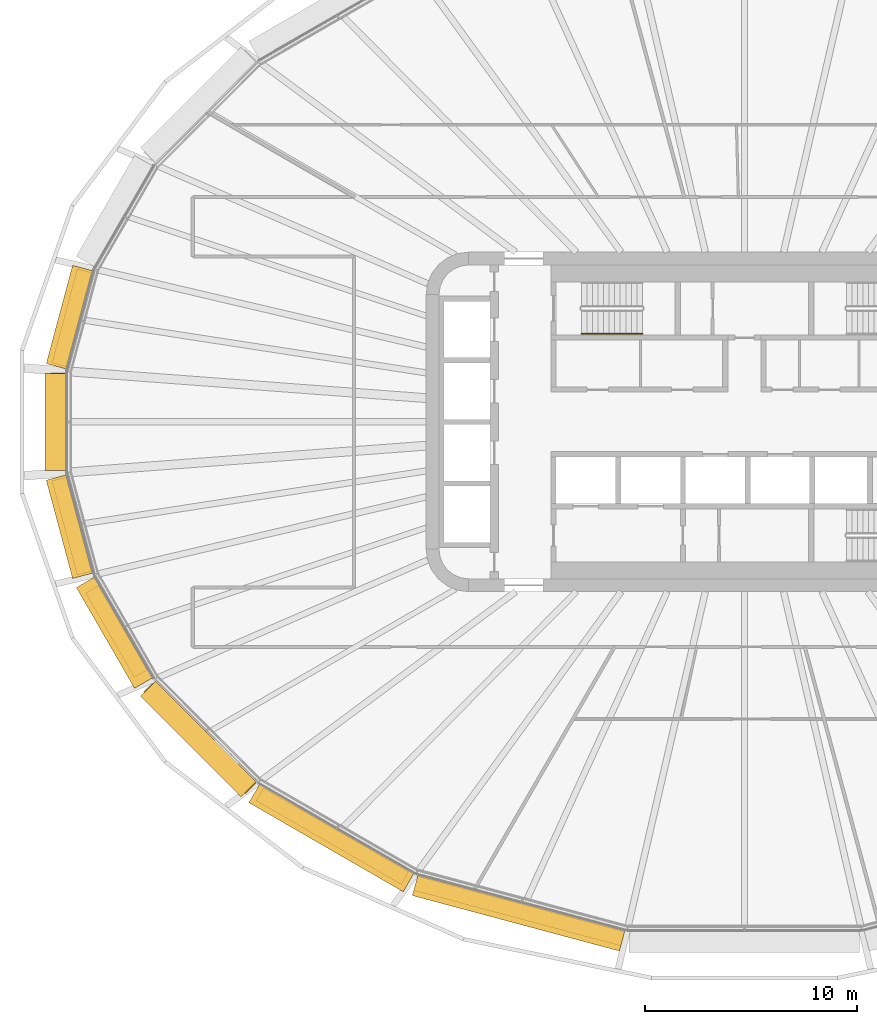
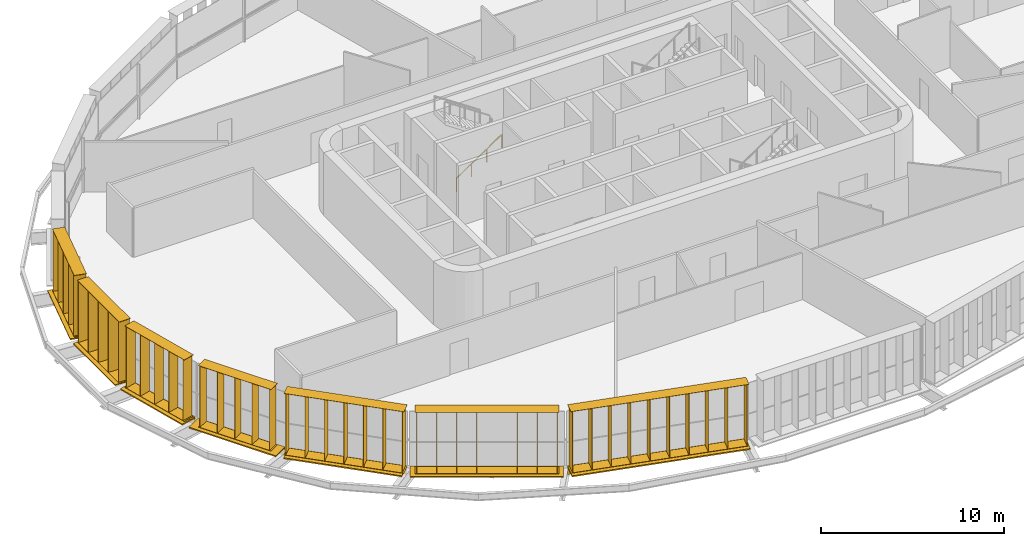
# One storey, part 20 of 25: 14 shading devices, 1 railing.
"""IFC4 building model written with IfcOpenShell, lengths in metres."""

import ifcopenshell
import ifcopenshell.guid

model = None  # the IFC model being written
_history = None  # IfcOwnerHistory: only IFC2X3 demands one
_inside = {}  # id of a spatial element -> (the spatial element, [elements in it])
_under = {}  # id of a project, library or spatial element -> (it, [spatial elements below it])
_declared = {}  # id of a project -> (the project, [libraries it declares])
_typed = {}  # id of a type object -> (the type object, [elements of that type])
_made_of = {}  # id of a material, layer set ... -> (it, [elements and type objects made of it])


def new_model(schema):
    """Start an empty IFC model of exactly this schema.

    Asked for "IFC4X3", IfcOpenShell would pick the latest addendum, in which some entities
    have other attributes; the version numbers below select the first issue.
    IFC2X3 requires an IfcOwnerHistory on every rooted entity: one is made here for all.
    """
    global model, _history
    if schema == "IFC4X3":
        model = ifcopenshell.file(schema_version=(4, 3, 0, 0))
    else:
        model = ifcopenshell.file(schema=schema)
    _inside.clear()
    _under.clear()
    _declared.clear()
    _typed.clear()
    _made_of.clear()
    _history = None
    if model.schema == "IFC2X3":
        org = make("IfcOrganization", Name="unknown")
        user = make(
            "IfcPersonAndOrganization",
            ThePerson=make("IfcPerson", FamilyName="unknown"),
            TheOrganization=org,
        )
        app = make(
            "IfcApplication",
            ApplicationDeveloper=org,
            Version="unknown",
            ApplicationFullName="unknown",
            ApplicationIdentifier="unknown",
        )
        _history = make(
            "IfcOwnerHistory",
            OwningUser=user,
            OwningApplication=app,
            ChangeAction="ADDED",
            CreationDate=0,
        )
    return model


def make(cls, **values):
    """One entity of the class cls with the attributes given. An attribute that is None is left unset."""
    return model.create_entity(
        cls, **{name: value for name, value in values.items() if value is not None}
    )


def rooted(cls, **values):
    """An entity with a GlobalId (a new one), such as an element, a storey or a relation."""
    return make(cls, GlobalId=ifcopenshell.guid.new(), OwnerHistory=_history, **values)


def si_unit(unit_type, name, prefix=None):
    """IfcSIUnit, for example si_unit("LENGTHUNIT", "METRE", prefix="MILLI")."""
    return make("IfcSIUnit", UnitType=unit_type, Prefix=prefix, Name=name)


def assignment(units):
    """IfcUnitAssignment: the units of a project."""
    return None if units is None else make("IfcUnitAssignment", Units=units)


def point(xyz):
    """IfcCartesianPoint."""
    return None if xyz is None else make("IfcCartesianPoint", Coordinates=xyz)


def direction(xyz):
    """IfcDirection."""
    return None if xyz is None else make("IfcDirection", DirectionRatios=xyz)


def frame(location, z_axis=None, x_axis=None):
    """IfcAxis2Placement3D, a coordinate frame: its origin and axes. An axis left out is left unset."""
    return make(
        "IfcAxis2Placement3D",
        Location=point(location),
        Axis=direction(z_axis),
        RefDirection=direction(x_axis),
    )


def frame_2d(location, x_axis=None):
    """IfcAxis2Placement2D, a coordinate frame in the plane: its origin and x axis."""
    return make(
        "IfcAxis2Placement2D", Location=point(location), RefDirection=direction(x_axis)
    )


def origin():
    """The frame at (0, 0, 0) with its axes left unset."""
    return frame((0.0, 0.0, 0.0))


def origin_2d():
    """The frame at (0, 0) in the plane with its x axis left unset."""
    return frame_2d((0.0, 0.0))


def place(relative_to, where):
    """IfcLocalPlacement: puts the frame where relative to a parent placement (None: the world)."""
    return make(
        "IfcLocalPlacement", PlacementRelTo=relative_to, RelativePlacement=where
    )


def context(
    kind, dimensions, precision=None, world=None, true_north=None, identifier=None
):
    """IfcGeometricRepresentationContext, for example the 3D "Model" context."""
    return make(
        "IfcGeometricRepresentationContext",
        ContextIdentifier=identifier,
        ContextType=kind,
        CoordinateSpaceDimension=dimensions,
        Precision=precision,
        WorldCoordinateSystem=world,
        TrueNorth=true_north,
    )


def subcontext(parent, identifier, kind, view, scale=None):
    """IfcGeometricRepresentationSubContext, for example "Body" below "Model"."""
    return make(
        "IfcGeometricRepresentationSubContext",
        ContextIdentifier=identifier,
        ContextType=kind,
        ParentContext=parent,
        TargetScale=scale,
        TargetView=view,
    )


def project(units=None, contexts=None):
    """IfcProject with its units and contexts."""
    return rooted(
        "IfcProject",
        Name="project",
        RepresentationContexts=contexts,
        UnitsInContext=assignment(units),
    )


def spatial(cls, under=None, at=None, **own):
    """A site, building, storey or space (cls), placed at a placement, below another one or the project."""
    s = rooted(cls, ObjectPlacement=at, **own)
    if under is not None:
        _under.setdefault(under.id(), (under, []))[1].append(s)
    return s


def profile(cls, at=None, kind="AREA", **sizes):
    """A parametric profile (cls). Its sizes go by their IFC names, for example OverallWidth=200.0."""
    return make(cls, ProfileType=kind, Position=at, **sizes)


def rectangle(**sizes):
    """IfcRectangleProfileDef."""
    return profile("IfcRectangleProfileDef", **sizes)


def circle(**sizes):
    """IfcCircleProfileDef."""
    return profile("IfcCircleProfileDef", **sizes)


def extrude(swept, where, along, depth):
    """IfcExtrudedAreaSolid: the profile swept, set in the frame where, extruded along a direction by depth."""
    return make(
        "IfcExtrudedAreaSolid",
        SweptArea=swept,
        Position=where,
        ExtrudedDirection=direction(along),
        Depth=depth,
    )


def shape(context_of_items, identifier, shape_type, items):
    """IfcShapeRepresentation: the items that make up one representation, for example the "Body"."""
    return make(
        "IfcShapeRepresentation",
        ContextOfItems=context_of_items,
        RepresentationIdentifier=identifier,
        RepresentationType=shape_type,
        Items=items,
    )


def material(Name=None, Category=None):
    """IfcMaterial."""
    return make("IfcMaterial", Name=Name, Category=Category)


def made_of(thing, what):
    """Note that an element or type object is made of a material, layer set ...; save() writes the relation."""
    if what is not None:
        _made_of.setdefault(what.id(), (what, []))[1].append(thing)
    return thing


def type_object(cls, material=None, **own):
    """A type object (cls), such as IfcWallType, which elements share."""
    return made_of(rooted(cls, **own), material)


def element(
    cls,
    number,
    at=None,
    inside=None,
    cuts=None,
    type_object=None,
    material=None,
    context=None,
    identifier="Body",
    shape_type=None,
    held_by="IfcProductDefinitionShape",
    body=None,
    shapes=None,
    **own,
):
    """One element of the class cls, such as IfcWall. Its Tag is "e" and its number.

    at: its placement. inside: the storey or other place that contains it. cuts: it is an
    opening in that element (IfcRelVoidsElement). A single representation is given by context,
    identifier, shape_type and body (its items); several are given by shapes. held_by: the class
    of the entity that holds the representations. save() writes the other relations.
    """
    e = rooted(cls, Tag="e%d" % number, ObjectPlacement=at, **own)
    if body is not None:
        shapes = [shape(context, identifier, shape_type, body)]
    if shapes is not None:
        e.Representation = make(held_by, Representations=shapes)
    if inside is not None:
        _inside.setdefault(inside.id(), (inside, []))[1].append(e)
    if cuts is not None:
        rooted(
            "IfcRelVoidsElement", RelatingBuildingElement=cuts, RelatedOpeningElement=e
        )
    if type_object is not None:
        _typed.setdefault(type_object.id(), (type_object, []))[1].append(e)
    return made_of(e, material)


def aggregate(whole, parts):
    """IfcRelAggregates: a whole, such as a stair, and the parts it consists of."""
    return rooted("IfcRelAggregates", RelatingObject=whole, RelatedObjects=parts)


def save(model, path):
    """Write the relations noted so far, then the file.

    IfcRelAggregates (storeys below a building ...), IfcRelContainedInSpatialStructure (elements
    in a storey), IfcRelDefinesByType, IfcRelAssociatesMaterial and IfcRelDeclares: one each for
    every whole, place, type object, material and project.
    """
    for whole, parts in _under.values():
        aggregate(whole, parts)
    for where, things in _inside.values():
        rooted(
            "IfcRelContainedInSpatialStructure",
            RelatedElements=things,
            RelatingStructure=where,
        )
    for kind, things in _typed.values():
        rooted("IfcRelDefinesByType", RelatedObjects=things, RelatingType=kind)
    for what, things in _made_of.values():
        rooted("IfcRelAssociatesMaterial", RelatedObjects=things, RelatingMaterial=what)
    for by, libraries in _declared.values():
        rooted("IfcRelDeclares", RelatingContext=by, RelatedDefinitions=libraries)
    model.write(path)


model = new_model("IFC4")

# Units and contexts
model_context = context("Model", 3, precision=1e-05, world=origin(), true_north=direction((0.0, 1.0)))
body_context = subcontext(model_context, "Body", "Model", "MODEL_VIEW")
ifc_project = project(units=[si_unit("LENGTHUNIT", "METRE"), si_unit("AREAUNIT", "SQUARE_METRE"), si_unit("VOLUMEUNIT", "CUBIC_METRE"), si_unit("PLANEANGLEUNIT", "RADIAN"), si_unit("MASSUNIT", "GRAM", prefix="KILO")], contexts=[model_context])

# Site, building, storey
site_placement = place(None, origin())
site = spatial("IfcSite", under=ifc_project, at=site_placement, CompositionType="ELEMENT")
building_placement = place(site_placement, origin())
building = spatial("IfcBuilding", under=site, at=building_placement, Name="Sahrelin Media Tower", CompositionType="ELEMENT")
storey_placement = place(building_placement, frame((0.0, 0.0, 106.199951171875)))
storey = spatial("IfcBuildingStorey", under=building, at=storey_placement, Name="L20", CompositionType="ELEMENT", Elevation=106.199951171875)

# Shading devices
ifc_material_1 = material(Name="Champagne anodised aluminium 6063-T6", Category="aluminium")
shading_device_type_1 = type_object("IfcShadingDeviceType", Name="Fin cassette", PredefinedType="USERDEFINED", material=ifc_material_1)
placement_1 = place(storey_placement, frame((-31.298095703125, 4.798583984375, 0.0), z_axis=(0.0, 0.0, 1.0), x_axis=(0.258807731996, 0.965928857556, 0.0)))
element("IfcShadingDevice", 1, at=placement_1, inside=storey, type_object=shading_device_type_1, Name="L20:FIN:L20-11", ObjectType="FIN", PredefinedType="USERDEFINED", context=body_context, shape_type="SweptSolid", body=[
    extrude(rectangle(XDim=4.60009765625, YDim=0.699951171875, at=origin_2d()), frame((0.0, 0.419921875, 0.0)), (0.0, 0.0, 1.0), 0.02001953125),
    extrude(rectangle(XDim=4.60009765625, YDim=0.699951171875, at=origin_2d()), frame((0.0, 0.419921875, 4.10009765625)), (0.0, 0.0, 1.0), 0.02001953125),
    extrude(rectangle(XDim=0.02001953125, YDim=0.699951171875, at=origin_2d()), frame((-2.199951171875, 0.419921875, 0.010009765625), z_axis=(0.0, 0.0, 1.0), x_axis=(1.0, 0.0, 0.0)), (0.0, 0.0, 1.0), 4.10009765625),
    extrude(rectangle(XDim=0.02001953125, YDim=0.699951171875, at=origin_2d()), frame((-1.10009765625, 0.419921875, 0.010009765625), z_axis=(0.0, 0.0, 1.0), x_axis=(1.0, 0.0, 0.0)), (0.0, 0.0, 1.0), 4.10009765625),
    extrude(rectangle(XDim=0.02001953125, YDim=0.699951171875, at=origin_2d()), frame((0.0, 0.419921875, 0.010009765625), z_axis=(0.0, 0.0, 1.0), x_axis=(1.0, 0.0, 0.0)), (0.0, 0.0, 1.0), 4.10009765625),
    extrude(rectangle(XDim=0.02001953125, YDim=0.699951171875, at=origin_2d()), frame((1.10009765625, 0.419921875, 0.010009765625), z_axis=(0.0, 0.0, 1.0), x_axis=(1.0, 0.0, 0.0)), (0.0, 0.0, 1.0), 4.10009765625),
    extrude(rectangle(XDim=0.02001953125, YDim=0.699951171875, at=origin_2d()), frame((2.199951171875, 0.419921875, 0.010009765625), z_axis=(0.0, 0.0, 1.0), x_axis=(1.0, 0.0, 0.0)), (0.0, 0.0, 1.0), 4.10009765625),
])
placement_2 = place(storey_placement, frame((-31.9443359375, 0.0, 0.0), z_axis=(0.0, 0.0, 1.0), x_axis=(0.0, 1.0, 0.0)))
element("IfcShadingDevice", 2, at=placement_2, inside=storey, type_object=shading_device_type_1, Name="L20:FIN:L20-12", ObjectType="FIN", PredefinedType="USERDEFINED", context=body_context, shape_type="SweptSolid", body=[
    extrude(rectangle(XDim=4.60009765625, YDim=0.699951171875, at=origin_2d()), frame((0.0, 0.419921875, 0.0)), (0.0, 0.0, 1.0), 0.02001953125),
    extrude(rectangle(XDim=4.60009765625, YDim=0.699951171875, at=origin_2d()), frame((0.0, 0.419921875, 4.10009765625)), (0.0, 0.0, 1.0), 0.02001953125),
    extrude(rectangle(XDim=0.02001953125, YDim=0.699951171875, at=origin_2d()), frame((-2.199951171875, 0.419921875, 0.010009765625), z_axis=(0.0, 0.0, 1.0), x_axis=(1.0, 0.0, 0.0)), (0.0, 0.0, 1.0), 4.10009765625),
    extrude(rectangle(XDim=0.02001953125, YDim=0.699951171875, at=origin_2d()), frame((-1.10009765625, 0.419921875, 0.010009765625), z_axis=(0.0, 0.0, 1.0), x_axis=(1.0, 0.0, 0.0)), (0.0, 0.0, 1.0), 4.10009765625),
    extrude(rectangle(XDim=0.02001953125, YDim=0.699951171875, at=origin_2d()), frame((0.0, 0.419921875, 0.010009765625), z_axis=(0.0, 0.0, 1.0), x_axis=(1.0, 0.0, 0.0)), (0.0, 0.0, 1.0), 4.10009765625),
    extrude(rectangle(XDim=0.02001953125, YDim=0.699951171875, at=origin_2d()), frame((1.10009765625, 0.419921875, 0.010009765625), z_axis=(0.0, 0.0, 1.0), x_axis=(1.0, 0.0, 0.0)), (0.0, 0.0, 1.0), 4.10009765625),
    extrude(rectangle(XDim=0.02001953125, YDim=0.699951171875, at=origin_2d()), frame((2.199951171875, 0.419921875, 0.010009765625), z_axis=(0.0, 0.0, 1.0), x_axis=(1.0, 0.0, 0.0)), (0.0, 0.0, 1.0), 4.10009765625),
])
placement_3 = place(storey_placement, frame((-31.298095703125, -4.798828125, 0.0), z_axis=(0.0, 0.0, 1.0), x_axis=(-0.258807731996, 0.965928857556, 0.0)))
element("IfcShadingDevice", 3, at=placement_3, inside=storey, type_object=shading_device_type_1, Name="L20:FIN:L20-13", ObjectType="FIN", PredefinedType="USERDEFINED", context=body_context, shape_type="SweptSolid", body=[
    extrude(rectangle(XDim=4.60009765625, YDim=0.699951171875, at=origin_2d()), frame((0.0, 0.419921875, 0.0)), (0.0, 0.0, 1.0), 0.02001953125),
    extrude(rectangle(XDim=4.60009765625, YDim=0.699951171875, at=origin_2d()), frame((0.0, 0.419921875, 4.10009765625)), (0.0, 0.0, 1.0), 0.02001953125),
    extrude(rectangle(XDim=0.02001953125, YDim=0.699951171875, at=origin_2d()), frame((-2.199951171875, 0.419921875, 0.010009765625), z_axis=(0.0, 0.0, 1.0), x_axis=(1.0, 0.0, 0.0)), (0.0, 0.0, 1.0), 4.10009765625),
    extrude(rectangle(XDim=0.02001953125, YDim=0.699951171875, at=origin_2d()), frame((-1.10009765625, 0.419921875, 0.010009765625), z_axis=(0.0, 0.0, 1.0), x_axis=(1.0, 0.0, 0.0)), (0.0, 0.0, 1.0), 4.10009765625),
    extrude(rectangle(XDim=0.02001953125, YDim=0.699951171875, at=origin_2d()), frame((0.0, 0.419921875, 0.010009765625), z_axis=(0.0, 0.0, 1.0), x_axis=(1.0, 0.0, 0.0)), (0.0, 0.0, 1.0), 4.10009765625),
    extrude(rectangle(XDim=0.02001953125, YDim=0.699951171875, at=origin_2d()), frame((1.10009765625, 0.419921875, 0.010009765625), z_axis=(0.0, 0.0, 1.0), x_axis=(1.0, 0.0, 0.0)), (0.0, 0.0, 1.0), 4.10009765625),
    extrude(rectangle(XDim=0.02001953125, YDim=0.699951171875, at=origin_2d()), frame((2.199951171875, 0.419921875, 0.010009765625), z_axis=(0.0, 0.0, 1.0), x_axis=(1.0, 0.0, 0.0)), (0.0, 0.0, 1.0), 4.10009765625),
])
placement_4 = place(storey_placement, frame((-29.231689453125, -9.67041015625, 0.0), z_axis=(0.0, 0.0, 1.0), x_axis=(-0.500011000363, 0.866019052629, 0.0)))
element("IfcShadingDevice", 4, at=placement_4, inside=storey, type_object=shading_device_type_1, Name="L20:FIN:L20-14", ObjectType="FIN", PredefinedType="USERDEFINED", context=body_context, shape_type="SweptSolid", body=[
    extrude(rectangle(XDim=4.60009765625, YDim=0.699951171875, at=origin_2d()), frame((0.0, 0.419921875, 0.0)), (0.0, 0.0, 1.0), 0.02001953125),
    extrude(rectangle(XDim=4.60009765625, YDim=0.699951171875, at=origin_2d()), frame((0.0, 0.419921875, 4.10009765625)), (0.0, 0.0, 1.0), 0.02001953125),
    extrude(rectangle(XDim=0.02001953125, YDim=0.699951171875, at=origin_2d()), frame((-2.199951171875, 0.419921875, 0.010009765625), z_axis=(0.0, 0.0, 1.0), x_axis=(1.0, 0.0, 0.0)), (0.0, 0.0, 1.0), 4.10009765625),
    extrude(rectangle(XDim=0.02001953125, YDim=0.699951171875, at=origin_2d()), frame((-1.10009765625, 0.419921875, 0.010009765625), z_axis=(0.0, 0.0, 1.0), x_axis=(1.0, 0.0, 0.0)), (0.0, 0.0, 1.0), 4.10009765625),
    extrude(rectangle(XDim=0.02001953125, YDim=0.699951171875, at=origin_2d()), frame((0.0, 0.419921875, 0.010009765625), z_axis=(0.0, 0.0, 1.0), x_axis=(1.0, 0.0, 0.0)), (0.0, 0.0, 1.0), 4.10009765625),
    extrude(rectangle(XDim=0.02001953125, YDim=0.699951171875, at=origin_2d()), frame((1.10009765625, 0.419921875, 0.010009765625), z_axis=(0.0, 0.0, 1.0), x_axis=(1.0, 0.0, 0.0)), (0.0, 0.0, 1.0), 4.10009765625),
    extrude(rectangle(XDim=0.02001953125, YDim=0.699951171875, at=origin_2d()), frame((2.199951171875, 0.419921875, 0.010009765625), z_axis=(0.0, 0.0, 1.0), x_axis=(1.0, 0.0, 0.0)), (0.0, 0.0, 1.0), 4.10009765625),
])
placement_5 = place(storey_placement, frame((-25.371337890625, -14.5703125, 0.0), z_axis=(0.0, 0.0, 1.0), x_axis=(-0.707106781187, 0.707106781187, 0.0)))
element("IfcShadingDevice", 5, at=placement_5, inside=storey, type_object=shading_device_type_1, Name="L20:FIN:L20-15", ObjectType="FIN", PredefinedType="USERDEFINED", context=body_context, shape_type="SweptSolid", body=[
    extrude(rectangle(XDim=6.800048828125, YDim=0.699951171875, at=origin_2d()), frame((0.0, 0.419921875, 0.0)), (0.0, 0.0, 1.0), 0.02001953125),
    extrude(rectangle(XDim=6.800048828125, YDim=0.699951171875, at=origin_2d()), frame((0.0, 0.419921875, 4.10009765625)), (0.0, 0.0, 1.0), 0.02001953125),
    extrude(rectangle(XDim=0.02001953125, YDim=0.699951171875, at=origin_2d()), frame((-3.300048828125, 0.419921875, 0.010009765625), z_axis=(0.0, 0.0, 1.0), x_axis=(1.0, 0.0, 0.0)), (0.0, 0.0, 1.0), 4.10009765625),
    extrude(rectangle(XDim=0.02001953125, YDim=0.699951171875, at=origin_2d()), frame((-2.199951171875, 0.419921875, 0.010009765625), z_axis=(0.0, 0.0, 1.0), x_axis=(1.0, 0.0, 0.0)), (0.0, 0.0, 1.0), 4.10009765625),
    extrude(rectangle(XDim=0.02001953125, YDim=0.699951171875, at=origin_2d()), frame((-1.10009765625, 0.419921875, 0.010009765625), z_axis=(0.0, 0.0, 1.0), x_axis=(1.0, 0.0, 0.0)), (0.0, 0.0, 1.0), 4.10009765625),
    extrude(rectangle(XDim=0.02001953125, YDim=0.699951171875, at=origin_2d()), frame((0.0, 0.419921875, 0.010009765625), z_axis=(0.0, 0.0, 1.0), x_axis=(1.0, 0.0, 0.0)), (0.0, 0.0, 1.0), 4.10009765625),
    extrude(rectangle(XDim=0.02001953125, YDim=0.699951171875, at=origin_2d()), frame((1.10009765625, 0.419921875, 0.010009765625), z_axis=(0.0, 0.0, 1.0), x_axis=(1.0, 0.0, 0.0)), (0.0, 0.0, 1.0), 4.10009765625),
    extrude(rectangle(XDim=0.02001953125, YDim=0.699951171875, at=origin_2d()), frame((2.199951171875, 0.419921875, 0.010009765625), z_axis=(0.0, 0.0, 1.0), x_axis=(1.0, 0.0, 0.0)), (0.0, 0.0, 1.0), 4.10009765625),
    extrude(rectangle(XDim=0.02001953125, YDim=0.699951171875, at=origin_2d()), frame((3.300048828125, 0.419921875, 0.010009765625), z_axis=(0.0, 0.0, 1.0), x_axis=(1.0, 0.0, 0.0)), (0.0, 0.0, 1.0), 4.10009765625),
])
placement_6 = place(storey_placement, frame((-19.20751953125, -19.160400390625, 0.0), z_axis=(0.0, 0.0, 1.0), x_axis=(-0.866019052629, 0.500011000363, 0.0)))
element("IfcShadingDevice", 6, at=placement_6, inside=storey, type_object=shading_device_type_1, Name="L20:FIN:L20-16", ObjectType="FIN", PredefinedType="USERDEFINED", context=body_context, shape_type="SweptSolid", body=[
    extrude(rectangle(XDim=7.89990234375, YDim=0.699951171875, at=origin_2d()), frame((0.0, 0.419921875, 0.0)), (0.0, 0.0, 1.0), 0.02001953125),
    extrude(rectangle(XDim=7.89990234375, YDim=0.699951171875, at=origin_2d()), frame((0.0, 0.419921875, 4.10009765625)), (0.0, 0.0, 1.0), 0.02001953125),
    extrude(rectangle(XDim=0.02001953125, YDim=0.699951171875, at=origin_2d()), frame((-3.85009765625, 0.419921875, 0.010009765625), z_axis=(0.0, 0.0, 1.0), x_axis=(1.0, 0.0, 0.0)), (0.0, 0.0, 1.0), 4.10009765625),
    extrude(rectangle(XDim=0.02001953125, YDim=0.699951171875, at=origin_2d()), frame((-2.75, 0.419921875, 0.010009765625), z_axis=(0.0, 0.0, 1.0), x_axis=(1.0, 0.0, 0.0)), (0.0, 0.0, 1.0), 4.10009765625),
    extrude(rectangle(XDim=0.02001953125, YDim=0.699951171875, at=origin_2d()), frame((-1.64990234375, 0.419921875, 0.010009765625), z_axis=(0.0, 0.0, 1.0), x_axis=(1.0, 0.0, 0.0)), (0.0, 0.0, 1.0), 4.10009765625),
    extrude(rectangle(XDim=0.02001953125, YDim=0.699951171875, at=origin_2d()), frame((-0.550048828125, 0.419921875, 0.010009765625), z_axis=(0.0, 0.0, 1.0), x_axis=(1.0, 0.0, 0.0)), (0.0, 0.0, 1.0), 4.10009765625),
    extrude(rectangle(XDim=0.02001953125, YDim=0.699951171875, at=origin_2d()), frame((0.550048828125, 0.419921875, 0.010009765625), z_axis=(0.0, 0.0, 1.0), x_axis=(1.0, 0.0, 0.0)), (0.0, 0.0, 1.0), 4.10009765625),
    extrude(rectangle(XDim=0.02001953125, YDim=0.699951171875, at=origin_2d()), frame((1.64990234375, 0.419921875, 0.010009765625), z_axis=(0.0, 0.0, 1.0), x_axis=(1.0, 0.0, 0.0)), (0.0, 0.0, 1.0), 4.10009765625),
    extrude(rectangle(XDim=0.02001953125, YDim=0.699951171875, at=origin_2d()), frame((2.75, 0.419921875, 0.010009765625), z_axis=(0.0, 0.0, 1.0), x_axis=(1.0, 0.0, 0.0)), (0.0, 0.0, 1.0), 4.10009765625),
    extrude(rectangle(XDim=0.02001953125, YDim=0.699951171875, at=origin_2d()), frame((3.85009765625, 0.419921875, 0.010009765625), z_axis=(0.0, 0.0, 1.0), x_axis=(1.0, 0.0, 0.0)), (0.0, 0.0, 1.0), 4.10009765625),
])
placement_7 = place(storey_placement, frame((-10.50732421875, -22.643798828125, 0.0), z_axis=(0.0, 0.0, 1.0), x_axis=(-0.965928857556, 0.258807731996, 0.0)))
element("IfcShadingDevice", 7, at=placement_7, inside=storey, type_object=shading_device_type_1, Name="L20:FIN:L20-17", ObjectType="FIN", PredefinedType="USERDEFINED", context=body_context, shape_type="SweptSolid", body=[
    extrude(rectangle(XDim=10.10009765625, YDim=0.699951171875, at=origin_2d()), frame((0.0, 0.419921875, 0.0)), (0.0, 0.0, 1.0), 0.02001953125),
    extrude(rectangle(XDim=10.10009765625, YDim=0.699951171875, at=origin_2d()), frame((0.0, 0.419921875, 4.10009765625)), (0.0, 0.0, 1.0), 0.02001953125),
    extrude(rectangle(XDim=0.02001953125, YDim=0.699951171875, at=origin_2d()), frame((-4.949951171875, 0.419921875, 0.010009765625), z_axis=(0.0, 0.0, 1.0), x_axis=(1.0, 0.0, 0.0)), (0.0, 0.0, 1.0), 4.10009765625),
    extrude(rectangle(XDim=0.02001953125, YDim=0.699951171875, at=origin_2d()), frame((-3.85009765625, 0.419921875, 0.010009765625), z_axis=(0.0, 0.0, 1.0), x_axis=(1.0, 0.0, 0.0)), (0.0, 0.0, 1.0), 4.10009765625),
    extrude(rectangle(XDim=0.02001953125, YDim=0.699951171875, at=origin_2d()), frame((-2.75, 0.419921875, 0.010009765625), z_axis=(0.0, 0.0, 1.0), x_axis=(1.0, 0.0, 0.0)), (0.0, 0.0, 1.0), 4.10009765625),
    extrude(rectangle(XDim=0.02001953125, YDim=0.699951171875, at=origin_2d()), frame((-1.64990234375, 0.419921875, 0.010009765625), z_axis=(0.0, 0.0, 1.0), x_axis=(1.0, 0.0, 0.0)), (0.0, 0.0, 1.0), 4.10009765625),
    extrude(rectangle(XDim=0.02001953125, YDim=0.699951171875, at=origin_2d()), frame((-0.550048828125, 0.419921875, 0.010009765625), z_axis=(0.0, 0.0, 1.0), x_axis=(1.0, 0.0, 0.0)), (0.0, 0.0, 1.0), 4.10009765625),
    extrude(rectangle(XDim=0.02001953125, YDim=0.699951171875, at=origin_2d()), frame((0.550048828125, 0.419921875, 0.010009765625), z_axis=(0.0, 0.0, 1.0), x_axis=(1.0, 0.0, 0.0)), (0.0, 0.0, 1.0), 4.10009765625),
    extrude(rectangle(XDim=0.02001953125, YDim=0.699951171875, at=origin_2d()), frame((1.64990234375, 0.419921875, 0.010009765625), z_axis=(0.0, 0.0, 1.0), x_axis=(1.0, 0.0, 0.0)), (0.0, 0.0, 1.0), 4.10009765625),
    extrude(rectangle(XDim=0.02001953125, YDim=0.699951171875, at=origin_2d()), frame((2.75, 0.419921875, 0.010009765625), z_axis=(0.0, 0.0, 1.0), x_axis=(1.0, 0.0, 0.0)), (0.0, 0.0, 1.0), 4.10009765625),
    extrude(rectangle(XDim=0.02001953125, YDim=0.699951171875, at=origin_2d()), frame((3.85009765625, 0.419921875, 0.010009765625), z_axis=(0.0, 0.0, 1.0), x_axis=(1.0, 0.0, 0.0)), (0.0, 0.0, 1.0), 4.10009765625),
    extrude(rectangle(XDim=0.02001953125, YDim=0.699951171875, at=origin_2d()), frame((4.949951171875, 0.419921875, 0.010009765625), z_axis=(0.0, 0.0, 1.0), x_axis=(1.0, 0.0, 0.0)), (0.0, 0.0, 1.0), 4.10009765625),
])

# Railing
ifc_material_2 = material(Name="Steel S355", Category="steel")
railing_type = type_object("IfcRailingType", Name="Stair handrail 900", PredefinedType="HANDRAIL", material=ifc_material_2)
railing_placement = place(storey_placement, frame((-7.675048828125, 4.14990234375, 0.175048828125)))
element("IfcRailing", 8, at=railing_placement, inside=storey, type_object=railing_type, Name="L20 ST1 stair handrail 1", PredefinedType="HANDRAIL", context=body_context, shape_type="SweptSolid", body=[
    extrude(circle(Radius=0.02392578125, at=origin_2d()), frame((0.0, 0.0, 0.8759765625), z_axis=(0.829590901723, 0.0, 0.558371682465), x_axis=(0.0, 1.0, 0.0)), (0.0, 0.0, 1.0), 3.447509765625),
    extrude(circle(Radius=0.02099609375, at=origin_2d()), origin(), (0.0, 0.0, 1.0), 0.851806640625),
    extrude(circle(Radius=0.02099609375, at=origin_2d()), frame((0.953369140625, 0.0, 0.6416015625)), (0.0, 0.0, 1.0), 0.851806640625),
    extrude(circle(Radius=0.02099609375, at=origin_2d()), frame((1.90673828125, 0.0, 1.283447265625)), (0.0, 0.0, 1.0), 0.851806640625),
    extrude(circle(Radius=0.02099609375, at=origin_2d()), frame((2.860107421875, 0.0, 1.925048828125)), (0.0, 0.0, 1.0), 0.851806640625),
])

# Shading devices
shading_device_type_2 = type_object("IfcShadingDeviceType", Name="Sunshade band", PredefinedType="USERDEFINED", material=ifc_material_1)
element("IfcShadingDevice", 9, at=placement_1, inside=storey, type_object=shading_device_type_2, Name="L20:SUN:L20-11", ObjectType="SUNSHADE", PredefinedType="USERDEFINED", context=body_context, shape_type="SweptSolid", body=[
    extrude(rectangle(XDim=4.793212890625, YDim=0.050048828125, at=origin_2d()), frame((0.0, 0.044921875, -0.55126953125)), (0.0, 0.0, 1.0), 0.471435546875),
    extrude(rectangle(XDim=4.793212890625, YDim=1.0, at=origin_2d()), frame((0.0, 0.52001953125, -0.080078125)), (0.0, 0.0, 1.0), 0.080078125),
    extrude(rectangle(XDim=0.10009765625, YDim=0.074951171875, at=origin_2d()), frame((-2.296630859375, -0.017578125, -0.47021484375)), (0.0, 0.0, 1.0), 0.300048828125),
    extrude(rectangle(XDim=0.10009765625, YDim=0.074951171875, at=origin_2d()), frame((-0.765380859375, -0.017578125, -0.47021484375)), (0.0, 0.0, 1.0), 0.300048828125),
    extrude(rectangle(XDim=0.10009765625, YDim=0.074951171875, at=origin_2d()), frame((0.765380859375, -0.017578125, -0.47021484375)), (0.0, 0.0, 1.0), 0.300048828125),
    extrude(rectangle(XDim=0.10009765625, YDim=0.074951171875, at=origin_2d()), frame((2.296630859375, -0.017578125, -0.47021484375)), (0.0, 0.0, 1.0), 0.300048828125),
])
element("IfcShadingDevice", 10, at=placement_2, inside=storey, type_object=shading_device_type_2, Name="L20:SUN:L20-12", ObjectType="SUNSHADE", PredefinedType="USERDEFINED", context=body_context, shape_type="SweptSolid", body=[
    extrude(rectangle(XDim=4.574462890625, YDim=0.050048828125, at=origin_2d()), frame((0.0, 0.044921875, -0.55126953125)), (0.0, 0.0, 1.0), 0.471435546875),
    extrude(rectangle(XDim=4.574462890625, YDim=1.0, at=origin_2d()), frame((0.0, 0.52001953125, -0.080078125)), (0.0, 0.0, 1.0), 0.080078125),
    extrude(rectangle(XDim=0.10009765625, YDim=0.074951171875, at=origin_2d()), frame((-2.187255859375, -0.017578125, -0.47021484375)), (0.0, 0.0, 1.0), 0.300048828125),
    extrude(rectangle(XDim=0.10009765625, YDim=0.074951171875, at=origin_2d()), frame((-0.72900390625, -0.017578125, -0.47021484375)), (0.0, 0.0, 1.0), 0.300048828125),
    extrude(rectangle(XDim=0.10009765625, YDim=0.074951171875, at=origin_2d()), frame((0.72900390625, -0.017578125, -0.47021484375)), (0.0, 0.0, 1.0), 0.300048828125),
    extrude(rectangle(XDim=0.10009765625, YDim=0.074951171875, at=origin_2d()), frame((2.187255859375, -0.017578125, -0.47021484375)), (0.0, 0.0, 1.0), 0.300048828125),
])
element("IfcShadingDevice", 11, at=placement_3, inside=storey, type_object=shading_device_type_2, Name="L20:SUN:L20-13", ObjectType="SUNSHADE", PredefinedType="USERDEFINED", context=body_context, shape_type="SweptSolid", body=[
    extrude(rectangle(XDim=4.793212890625, YDim=0.050048828125, at=origin_2d()), frame((0.0, 0.044921875, -0.55126953125)), (0.0, 0.0, 1.0), 0.471435546875),
    extrude(rectangle(XDim=4.793212890625, YDim=1.0, at=origin_2d()), frame((0.0, 0.52001953125, -0.080078125)), (0.0, 0.0, 1.0), 0.080078125),
    extrude(rectangle(XDim=0.10009765625, YDim=0.074951171875, at=origin_2d()), frame((-2.296630859375, -0.017578125, -0.47021484375)), (0.0, 0.0, 1.0), 0.300048828125),
    extrude(rectangle(XDim=0.10009765625, YDim=0.074951171875, at=origin_2d()), frame((-0.765380859375, -0.017578125, -0.47021484375)), (0.0, 0.0, 1.0), 0.300048828125),
    extrude(rectangle(XDim=0.10009765625, YDim=0.074951171875, at=origin_2d()), frame((0.765380859375, -0.017578125, -0.47021484375)), (0.0, 0.0, 1.0), 0.300048828125),
    extrude(rectangle(XDim=0.10009765625, YDim=0.074951171875, at=origin_2d()), frame((2.296630859375, -0.017578125, -0.47021484375)), (0.0, 0.0, 1.0), 0.300048828125),
])
element("IfcShadingDevice", 12, at=placement_4, inside=storey, type_object=shading_device_type_2, Name="L20:SUN:L20-14", ObjectType="SUNSHADE", PredefinedType="USERDEFINED", context=body_context, shape_type="SweptSolid", body=[
    extrude(rectangle(XDim=5.481201171875, YDim=0.050048828125, at=origin_2d()), frame((0.0, 0.044921875, -0.55126953125)), (0.0, 0.0, 1.0), 0.471435546875),
    extrude(rectangle(XDim=5.481201171875, YDim=1.0, at=origin_2d()), frame((0.0, 0.52001953125, -0.080078125)), (0.0, 0.0, 1.0), 0.080078125),
    extrude(rectangle(XDim=0.10009765625, YDim=0.074951171875, at=origin_2d()), frame((-2.640625, -0.017578125, -0.47021484375)), (0.0, 0.0, 1.0), 0.300048828125),
    extrude(rectangle(XDim=0.10009765625, YDim=0.074951171875, at=origin_2d()), frame((-0.880126953125, -0.017578125, -0.47021484375)), (0.0, 0.0, 1.0), 0.300048828125),
    extrude(rectangle(XDim=0.10009765625, YDim=0.074951171875, at=origin_2d()), frame((0.880126953125, -0.017578125, -0.47021484375)), (0.0, 0.0, 1.0), 0.300048828125),
    extrude(rectangle(XDim=0.10009765625, YDim=0.074951171875, at=origin_2d()), frame((2.640625, -0.017578125, -0.47021484375)), (0.0, 0.0, 1.0), 0.300048828125),
])
element("IfcShadingDevice", 13, at=placement_5, inside=storey, type_object=shading_device_type_2, Name="L20:SUN:L20-15", ObjectType="SUNSHADE", PredefinedType="USERDEFINED", context=body_context, shape_type="SweptSolid", body=[
    extrude(rectangle(XDim=6.701416015625, YDim=0.050048828125, at=origin_2d()), frame((0.0, 0.044921875, -0.55126953125)), (0.0, 0.0, 1.0), 0.471435546875),
    extrude(rectangle(XDim=6.701416015625, YDim=1.0, at=origin_2d()), frame((0.0, 0.52001953125, -0.080078125)), (0.0, 0.0, 1.0), 0.080078125),
    extrude(rectangle(XDim=0.10009765625, YDim=0.074951171875, at=origin_2d()), frame((-3.250732421875, -0.017578125, -0.47021484375)), (0.0, 0.0, 1.0), 0.300048828125),
    extrude(rectangle(XDim=0.10009765625, YDim=0.074951171875, at=origin_2d()), frame((-1.625244140625, -0.017578125, -0.47021484375)), (0.0, 0.0, 1.0), 0.300048828125),
    extrude(rectangle(XDim=0.10009765625, YDim=0.074951171875, at=origin_2d()), frame((0.0, -0.017578125, -0.47021484375)), (0.0, 0.0, 1.0), 0.300048828125),
    extrude(rectangle(XDim=0.10009765625, YDim=0.074951171875, at=origin_2d()), frame((1.625244140625, -0.017578125, -0.47021484375)), (0.0, 0.0, 1.0), 0.300048828125),
    extrude(rectangle(XDim=0.10009765625, YDim=0.074951171875, at=origin_2d()), frame((3.250732421875, -0.017578125, -0.47021484375)), (0.0, 0.0, 1.0), 0.300048828125),
])
element("IfcShadingDevice", 14, at=placement_6, inside=storey, type_object=shading_device_type_2, Name="L20:SUN:L20-16", ObjectType="SUNSHADE", PredefinedType="USERDEFINED", context=body_context, shape_type="SweptSolid", body=[
    extrude(rectangle(XDim=8.39990234375, YDim=0.050048828125, at=origin_2d()), frame((0.0, 0.044921875, -0.55126953125)), (0.0, 0.0, 1.0), 0.471435546875),
    extrude(rectangle(XDim=8.39990234375, YDim=1.0, at=origin_2d()), frame((0.0, 0.52001953125, -0.080078125)), (0.0, 0.0, 1.0), 0.080078125),
    extrude(rectangle(XDim=0.10009765625, YDim=0.074951171875, at=origin_2d()), frame((-4.10009765625, -0.017578125, -0.47021484375)), (0.0, 0.0, 1.0), 0.300048828125),
    extrude(rectangle(XDim=0.10009765625, YDim=0.074951171875, at=origin_2d()), frame((-2.4599609375, -0.017578125, -0.47021484375)), (0.0, 0.0, 1.0), 0.300048828125),
    extrude(rectangle(XDim=0.10009765625, YDim=0.074951171875, at=origin_2d()), frame((-0.820068359375, -0.017578125, -0.47021484375)), (0.0, 0.0, 1.0), 0.300048828125),
    extrude(rectangle(XDim=0.10009765625, YDim=0.074951171875, at=origin_2d()), frame((0.820068359375, -0.017578125, -0.47021484375)), (0.0, 0.0, 1.0), 0.300048828125),
    extrude(rectangle(XDim=0.10009765625, YDim=0.074951171875, at=origin_2d()), frame((2.4599609375, -0.017578125, -0.47021484375)), (0.0, 0.0, 1.0), 0.300048828125),
    extrude(rectangle(XDim=0.10009765625, YDim=0.074951171875, at=origin_2d()), frame((4.10009765625, -0.017578125, -0.47021484375)), (0.0, 0.0, 1.0), 0.300048828125),
])
element("IfcShadingDevice", 15, at=placement_7, inside=storey, type_object=shading_device_type_2, Name="L20:SUN:L20-17", ObjectType="SUNSHADE", PredefinedType="USERDEFINED", context=body_context, shape_type="SweptSolid", body=[
    extrude(rectangle(XDim=10.103759765625, YDim=0.050048828125, at=origin_2d()), frame((0.0, 0.044921875, -0.55126953125)), (0.0, 0.0, 1.0), 0.471435546875),
    extrude(rectangle(XDim=10.103759765625, YDim=1.0, at=origin_2d()), frame((0.0, 0.52001953125, -0.080078125)), (0.0, 0.0, 1.0), 0.080078125),
    extrude(rectangle(XDim=0.10009765625, YDim=0.074951171875, at=origin_2d()), frame((-4.951904296875, -0.017578125, -0.47021484375)), (0.0, 0.0, 1.0), 0.300048828125),
    extrude(rectangle(XDim=0.10009765625, YDim=0.074951171875, at=origin_2d()), frame((-3.30126953125, -0.017578125, -0.47021484375)), (0.0, 0.0, 1.0), 0.300048828125),
    extrude(rectangle(XDim=0.10009765625, YDim=0.074951171875, at=origin_2d()), frame((-1.650634765625, -0.017578125, -0.47021484375)), (0.0, 0.0, 1.0), 0.300048828125),
    extrude(rectangle(XDim=0.10009765625, YDim=0.074951171875, at=origin_2d()), frame((0.0, -0.017578125, -0.47021484375)), (0.0, 0.0, 1.0), 0.300048828125),
    extrude(rectangle(XDim=0.10009765625, YDim=0.074951171875, at=origin_2d()), frame((1.650634765625, -0.017578125, -0.47021484375)), (0.0, 0.0, 1.0), 0.300048828125),
    extrude(rectangle(XDim=0.10009765625, YDim=0.074951171875, at=origin_2d()), frame((3.30126953125, -0.017578125, -0.47021484375)), (0.0, 0.0, 1.0), 0.300048828125),
    extrude(rectangle(XDim=0.10009765625, YDim=0.074951171875, at=origin_2d()), frame((4.951904296875, -0.017578125, -0.47021484375)), (0.0, 0.0, 1.0), 0.300048828125),
])

save(model, "model.ifc")
